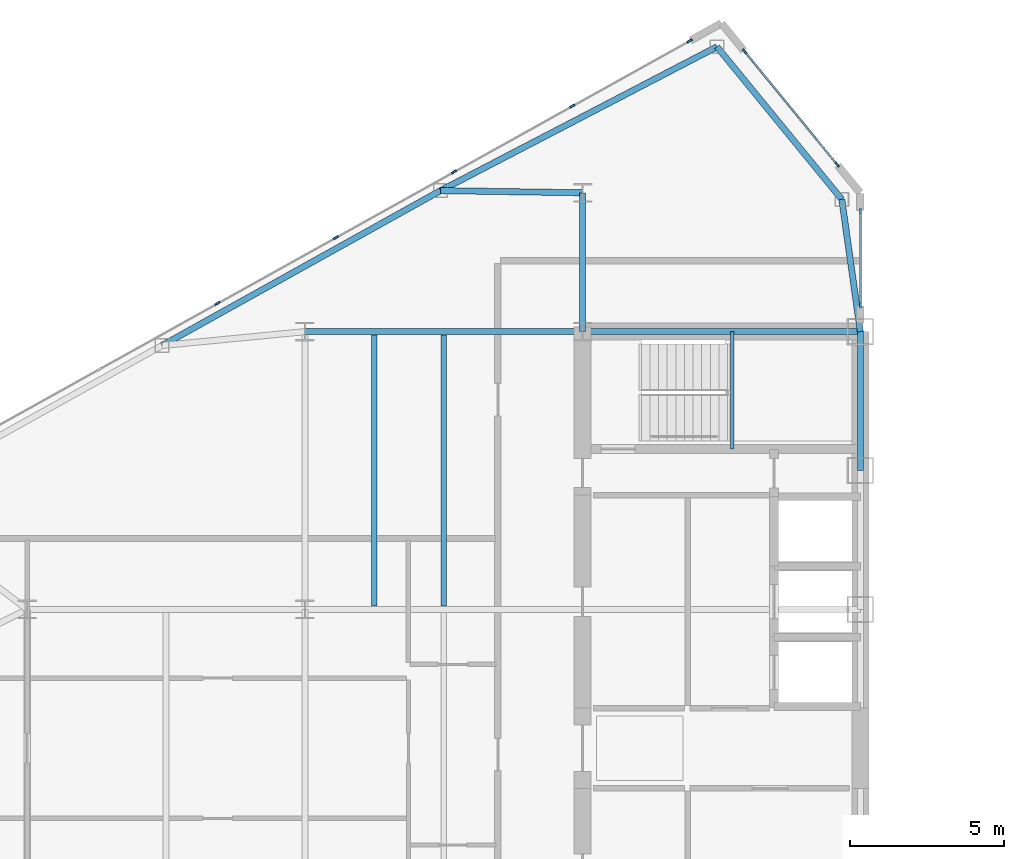
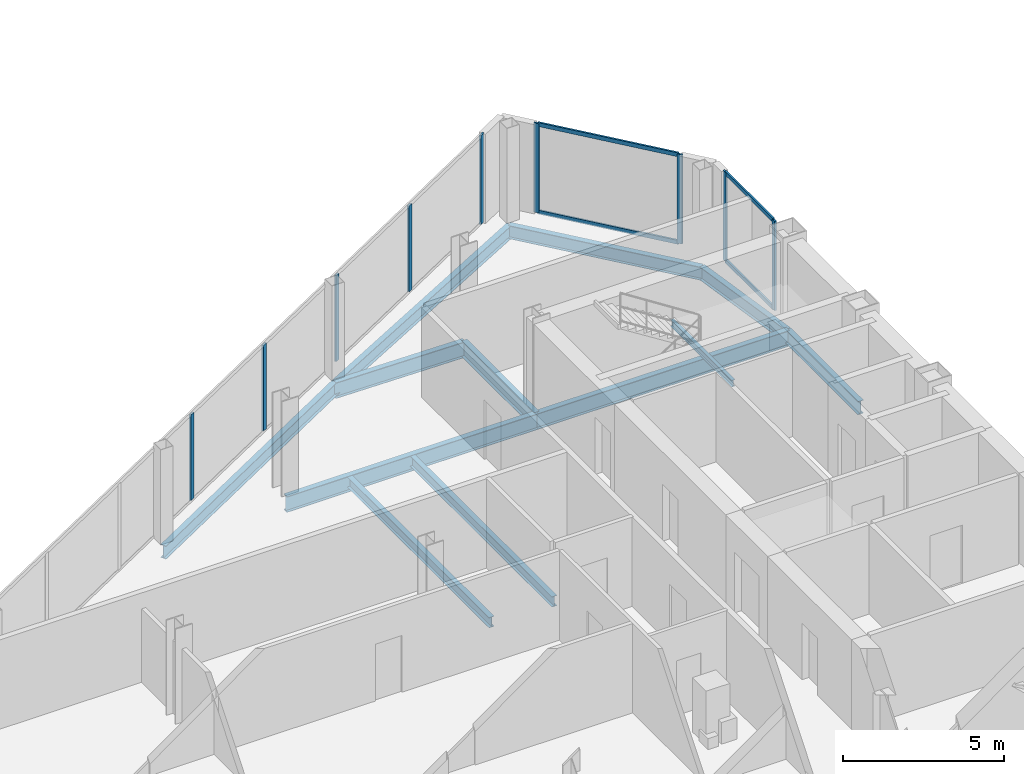
# One storey, part 10 of 25: 13 members, 12 beams, 3 elements without a shape of their own.
"""IFC4 building model written with IfcOpenShell, lengths in metres."""

from ifc_helpers import new_model, si_unit, direction, frame, origin, origin_2d, place, context, subcontext, project, spatial, rectangle, i_section, extrude, source, transform, mapped, material, layer, layer_set, material_profile, profile_set, type_object, type_shapes, element, aggregate, save


model = new_model("IFC4")

# Units and contexts
model_context = context("Model", 3, precision=1e-05, world=origin(), true_north=direction((0.0, 1.0)))
body_context = subcontext(model_context, "Body", "Model", "MODEL_VIEW")
ifc_project = project(units=[si_unit("LENGTHUNIT", "METRE"), si_unit("AREAUNIT", "SQUARE_METRE"), si_unit("VOLUMEUNIT", "CUBIC_METRE"), si_unit("PLANEANGLEUNIT", "RADIAN"), si_unit("MASSUNIT", "GRAM", prefix="KILO")], contexts=[model_context])

# Site, building, storey
site_placement = place(None, origin())
site = spatial("IfcSite", under=ifc_project, at=site_placement, CompositionType="ELEMENT")
building_placement = place(site_placement, origin())
building = spatial("IfcBuilding", under=site, at=building_placement, Name="Seokmaru Belvedere", CompositionType="ELEMENT")
storey_placement = place(building_placement, frame((0.0, 0.0, 185.10009765625)))
storey = spatial("IfcBuildingStorey", under=building, at=storey_placement, Name="L49", CompositionType="ELEMENT", Elevation=185.10009765625)

# Beams
ifc_material_1 = material(Name="Steel SM355 (355 MPa)", Category="steel")
ifc_material_profile_1 = material_profile(ifc_material_1, i_section(OverallWidth=0.199951171875, OverallDepth=0.5, WebThickness=0.010009765625, FlangeThickness=0.01611328125, at=origin_2d()), Name="H-500x200x10x16")
ifc_profile_set_1 = profile_set([ifc_material_profile_1], Name="Steel SM355 (355 MPa)")
beam_type_1 = type_object("IfcBeamType", Name="Perimeter Spandrel Beam H-500", PredefinedType="SPANDREL", material=ifc_profile_set_1)
shared_shape_1 = source(origin(), body_context, "Body", "SweptSolid", [
    extrude(i_section(OverallWidth=0.199951171875, OverallDepth=0.5, WebThickness=0.010009765625, FlangeThickness=0.01611328125, at=origin_2d()), origin(), (0.0, 0.0, 1.0), 4.5),
])
beam_1_placement = place(storey_placement, frame((-27.5, 9.0, -0.47021484375), z_axis=(0.0, 1.0, 0.0), x_axis=(-1.0, 0.0, 0.0)))
element("IfcBeam", 1, at=beam_1_placement, inside=storey, type_object=beam_type_1, Name="L49 W Portal Spine Spandrel 5", PredefinedType="SPANDREL", context=body_context, shape_type="MappedRepresentation", body=[
    mapped(shared_shape_1, transform((0.0, 0.0, 0.0), scale=1.0)),
])
ifc_material_profile_2 = material_profile(ifc_material_1, i_section(OverallWidth=0.199951171875, OverallDepth=0.60009765625, WebThickness=0.010986328125, FlangeThickness=0.01708984375, at=origin_2d()), Name="H-600x200x11x17")
ifc_profile_set_2 = profile_set([ifc_material_profile_2], Name="Steel SM355 (355 MPa)")
beam_type_2 = type_object("IfcBeamType", Name="Primary Floor Girder H-600", PredefinedType="BEAM", material=ifc_profile_set_2)
shared_shape_2 = source(origin(), body_context, "Body", "SweptSolid", [
    extrude(i_section(OverallWidth=0.199951171875, OverallDepth=0.60009765625, WebThickness=0.010986328125, FlangeThickness=0.01708984375, at=origin_2d()), origin(), (0.0, 0.0, 1.0), 9.0),
])
for number, where, z_axis, x_axis, name in (
    (2, (-36.5, 13.5, -0.52001953125), (1.0, 0.0, 0.0), (0.0, 1.0, 0.0), "L49 W Core Tie Girder 4"),
    (3, (-45.5, 13.5, -0.52001953125), (1.0, 0.0, 0.0), (0.0, 1.0, 0.0), "L49 W Wing Primary Girder 4"),
):
    element("IfcBeam", number, at=place(storey_placement, frame(where, z_axis=z_axis, x_axis=x_axis)), inside=storey, type_object=beam_type_2, Name=name, PredefinedType="BEAM", context=body_context, shape_type="MappedRepresentation", body=[
        mapped(shared_shape_2, transform((0.0, 0.0, 0.0), scale=1.0)),
    ])
ifc_material_profile_3 = material_profile(ifc_material_1, i_section(OverallWidth=0.18505859375, OverallDepth=0.389892578125, WebThickness=0.008056640625, FlangeThickness=0.011962890625, at=origin_2d()), Name="H-390x185x8x12")
ifc_profile_set_3 = profile_set([ifc_material_profile_3], Name="Steel SM355 (355 MPa)")
beam_type_3 = type_object("IfcBeamType", Name="Secondary Floor Joist H-350", PredefinedType="JOIST", material=ifc_profile_set_3)
shared_shape_3 = source(origin(), body_context, "Body", "SweptSolid", [
    extrude(i_section(OverallWidth=0.18505859375, OverallDepth=0.389892578125, WebThickness=0.008056640625, FlangeThickness=0.011962890625, at=origin_2d()), origin(), (0.0, 0.0, 1.0), 8.7900390625),
])
type_shapes(beam_type_3, [shared_shape_3])
for number, where, z_axis, x_axis, name in (
    (4, (-43.25, 4.60498046875, -0.4150390625), (0.0, 1.0, 0.0), (-1.0, 0.0, 0.0), "L49 W Wing Inner Secondary Joist 2"),
    (5, (-41.0, 4.60498046875, -0.4150390625), (0.0, 1.0, 0.0), (-1.0, 0.0, 0.0), "L49 W Secondary Floor Joist 3"),
):
    element("IfcBeam", number, at=place(storey_placement, frame(where, z_axis=z_axis, x_axis=x_axis)), inside=storey, type_object=beam_type_3, Name=name, PredefinedType="JOIST", context=body_context, shape_type="MappedRepresentation", body=[
        mapped(shared_shape_3, transform((0.0, 0.0, 0.0), scale=1.0)),
    ])
shared_shape_4 = source(origin(), body_context, "Body", "SweptSolid", [
    extrude(i_section(OverallWidth=0.199951171875, OverallDepth=0.60009765625, WebThickness=0.010986328125, FlangeThickness=0.01708984375, at=origin_2d()), origin(), (0.0, 0.0, 1.0), 4.5),
])
beam_2_placement = place(storey_placement, frame((-36.5, 13.5, -0.52001953125), z_axis=(0.0, 1.0, 0.0), x_axis=(-1.0, 0.0, 0.0)))
element("IfcBeam", 6, at=beam_2_placement, inside=storey, type_object=beam_type_2, Name="L49 W Core Shoulder Girder N", PredefinedType="BEAM", context=body_context, shape_type="MappedRepresentation", body=[
    mapped(shared_shape_4, transform((0.0, 0.0, 0.0), scale=1.0)),
])
shared_shape_5 = source(origin(), body_context, "Body", "SweptSolid", [
    extrude(i_section(OverallWidth=0.199951171875, OverallDepth=0.5, WebThickness=0.010009765625, FlangeThickness=0.01611328125, at=origin_2d()), origin(), (0.0, 0.0, 1.0), 10.09716796875),
])
beam_3_placement = place(storey_placement, frame((-32.146728515625, 22.731689453125, -0.47021484375), z_axis=(-0.887085728914, -0.461604711369, 0.0), x_axis=(0.461604711369, -0.887085728914, 0.0)))
element("IfcBeam", 7, at=beam_3_placement, inside=storey, type_object=beam_type_1, Name="L49 W Faceted Flank Spandrel N-1", PredefinedType="SPANDREL", context=body_context, shape_type="MappedRepresentation", body=[
    mapped(shared_shape_5, transform((0.0, 0.0, 0.0), scale=1.0)),
])
shared_shape_6 = source(origin(), body_context, "Body", "SweptSolid", [
    extrude(i_section(OverallWidth=0.199951171875, OverallDepth=0.5, WebThickness=0.010009765625, FlangeThickness=0.01611328125, at=origin_2d()), origin(), (0.0, 0.0, 1.0), 10.327392578125),
])
beam_4_placement = place(storey_placement, frame((-41.103759765625, 18.07080078125, -0.47021484375), z_axis=(-0.873924120588, -0.486062374037, 0.0), x_axis=(0.486062374037, -0.873924120588, 0.0)))
element("IfcBeam", 8, at=beam_4_placement, inside=storey, type_object=beam_type_1, Name="L49 W Faceted Flank Spandrel N-2", PredefinedType="SPANDREL", context=body_context, shape_type="MappedRepresentation", body=[
    mapped(shared_shape_6, transform((0.0, 0.0, 0.0), scale=1.0)),
])
shared_shape_7 = source(origin(), body_context, "Body", "SweptSolid", [
    extrude(i_section(OverallWidth=0.199951171875, OverallDepth=0.5, WebThickness=0.010009765625, FlangeThickness=0.01611328125, at=origin_2d()), origin(), (0.0, 0.0, 1.0), 6.390380859375),
])
beam_5_placement = place(storey_placement, frame((-32.146728515625, 22.731689453125, -0.47021484375), z_axis=(0.63324403161, -0.7739521926, 0.0), x_axis=(0.7739521926, 0.63324403161, 0.0)))
element("IfcBeam", 9, at=beam_5_placement, inside=storey, type_object=beam_type_1, Name="L49 W Shoulder Chamfer Spandrel N", PredefinedType="SPANDREL", context=body_context, shape_type="MappedRepresentation", body=[
    mapped(shared_shape_7, transform((0.0, 0.0, 0.0), scale=1.0)),
])
shared_shape_8 = source(origin(), body_context, "Body", "SweptSolid", [
    extrude(i_section(OverallWidth=0.199951171875, OverallDepth=0.5, WebThickness=0.010009765625, FlangeThickness=0.01611328125, at=origin_2d()), origin(), (0.0, 0.0, 1.0), 4.32763671875),
])
type_shapes(beam_type_1, [shared_shape_1, shared_shape_5, shared_shape_6, shared_shape_7, shared_shape_8])
beam_6_placement = place(storey_placement, frame((-28.10009765625, 17.785888671875, -0.47021484375), z_axis=(0.138664443237, -0.990339422714, 0.0), x_axis=(0.990339422714, 0.138664443237, 0.0)))
element("IfcBeam", 10, at=beam_6_placement, inside=storey, type_object=beam_type_1, Name="L49 W Shoulder Spine Spandrel N", PredefinedType="SPANDREL", context=body_context, shape_type="MappedRepresentation", body=[
    mapped(shared_shape_8, transform((0.0, 0.0, 0.0), scale=1.0)),
])
shared_shape_9 = source(origin(), body_context, "Body", "SweptSolid", [
    extrude(i_section(OverallWidth=0.199951171875, OverallDepth=0.60009765625, WebThickness=0.010986328125, FlangeThickness=0.01708984375, at=origin_2d()), origin(), (0.0, 0.0, 1.0), 4.604248046875),
])
type_shapes(beam_type_2, [shared_shape_2, shared_shape_4, shared_shape_9])
beam_7_placement = place(storey_placement, frame((-41.103759765625, 18.07080078125, -0.52001953125), z_axis=(0.999881765622, -0.01537708607, 0.0), x_axis=(0.01537708607, 0.999881765622, 0.0)))
element("IfcBeam", 11, at=beam_7_placement, inside=storey, type_object=beam_type_2, Name="L49 W Flank Radial Floor Girder N-1", PredefinedType="BEAM", context=body_context, shape_type="MappedRepresentation", body=[
    mapped(shared_shape_9, transform((0.0, 0.0, 0.0), scale=1.0)),
])

# Curtain wall, members
ifc_material_2 = material(Name="Bronze Triple Insulating Glass", Category="glass")
ifc_layer = layer(ifc_material_2, 0.179931640625)
ifc_layer_set = layer_set([ifc_layer], Name="Bronze Triple Insulating Glass")
curtain_wall_type = type_object("IfcCurtainWallType", Name="High-Rise Wind-Corner Curtain Wall System CW-5", PredefinedType="NOTDEFINED", material=ifc_layer_set)
curtain_wall_1_placement = place(storey_placement, origin())
curtain_wall_1 = element("IfcCurtainWall", 12, at=curtain_wall_1_placement, inside=storey, type_object=curtain_wall_type, Name="L49 Curtain Wall WSP_2", PredefinedType="NOTDEFINED")
ifc_material_3 = material(Name="Anodised Bronze Aluminium", Category="aluminium")
ifc_material_profile_4 = material_profile(ifc_material_3, rectangle(XDim=0.06494140625, YDim=0.14990234375, at=origin_2d()), Name="CW-T-65x150")
ifc_profile_set_4 = profile_set([ifc_material_profile_4], Name="Anodised Bronze Aluminium")
member_type_1 = type_object("IfcMemberType", Name="Bronze Unitised Transom 65x150", PredefinedType="USERDEFINED", material=ifc_profile_set_4)
shared_shape_10 = source(origin(), body_context, "Body", "SweptSolid", [
    extrude(rectangle(XDim=0.06494140625, YDim=0.14990234375, at=origin_2d()), origin(), (0.0, 0.0, 1.0), 2.969970703125),
])
member_1_placement = place(storey_placement, frame((-27.5, 14.39501953125, 0.032470703125), z_axis=(0.0, 1.0, 0.0), x_axis=(-1.0, 0.0, 0.0)))
member_1 = element("IfcMember", 13, at=member_1_placement, type_object=member_type_1, Name="CW:L49:WSP_2 Continuous Transom 1", ObjectType="TRANSOM", PredefinedType="USERDEFINED", context=body_context, shape_type="MappedRepresentation", body=[
    mapped(shared_shape_10, transform((0.0, 0.0, 0.0), scale=1.0)),
])
member_2_placement = place(storey_placement, frame((-27.5, 14.39501953125, 3.347412109375), z_axis=(0.0, 1.0, 0.0), x_axis=(-1.0, 0.0, 0.0)))
member_2 = element("IfcMember", 14, at=member_2_placement, type_object=member_type_1, Name="CW:L49:WSP_2 Continuous Transom 2", ObjectType="TRANSOM", PredefinedType="USERDEFINED", context=body_context, shape_type="MappedRepresentation", body=[
    mapped(shared_shape_10, transform((0.0, 0.0, 0.0), scale=1.0)),
])

curtain_wall_2_placement = place(storey_placement, origin())
curtain_wall_2 = element("IfcCurtainWall", 15, at=curtain_wall_2_placement, inside=storey, type_object=curtain_wall_type, Name="L49 Curtain Wall WF2", PredefinedType="NOTDEFINED")
shared_shape_11 = source(origin(), body_context, "Body", "SweptSolid", [
    extrude(rectangle(XDim=0.06494140625, YDim=0.14990234375, at=origin_2d()), origin(), (0.0, 0.0, 1.0), 4.67626953125),
])
type_shapes(member_type_1, [shared_shape_10, shared_shape_11])
member_3_placement = place(storey_placement, frame((-28.269287109375, 18.9404296875, 0.032470703125), z_axis=(-0.633277591216, 0.773924733074, 0.0), x_axis=(-0.773924733074, -0.633277591216, 0.0)))
member_3 = element("IfcMember", 16, at=member_3_placement, type_object=member_type_1, Name="CW:L49:WF2 Continuous Transom 1", ObjectType="TRANSOM", PredefinedType="USERDEFINED", context=body_context, shape_type="MappedRepresentation", body=[
    mapped(shared_shape_11, transform((0.0, 0.0, 0.0), scale=1.0)),
])
member_4_placement = place(storey_placement, frame((-28.269287109375, 18.9404296875, 3.347412109375), z_axis=(-0.633277591216, 0.773924733074, 0.0), x_axis=(-0.773924733074, -0.633277591216, 0.0)))
member_4 = element("IfcMember", 17, at=member_4_placement, type_object=member_type_1, Name="CW:L49:WF2 Continuous Transom 2", ObjectType="TRANSOM", PredefinedType="USERDEFINED", context=body_context, shape_type="MappedRepresentation", body=[
    mapped(shared_shape_11, transform((0.0, 0.0, 0.0), scale=1.0)),
])

# Member
ifc_material_profile_5 = material_profile(ifc_material_3, rectangle(XDim=0.06494140625, YDim=0.179931640625, at=origin_2d()), Name="CW-M-65x180")
ifc_profile_set_5 = profile_set([ifc_material_profile_5], Name="Anodised Bronze Aluminium")
member_type_2 = type_object("IfcMemberType", Name="Bronze Unitised Mullion 65x180", PredefinedType="MULLION", material=ifc_profile_set_5)
shared_shape_12 = source(origin(), body_context, "Body", "SweptSolid", [
    extrude(rectangle(XDim=0.06494140625, YDim=0.179931640625, at=origin_2d()), origin(), (0.0, 0.0, 1.0), 3.3798828125),
])
member_5_placement = place(storey_placement, frame((-27.5, 14.362548828125, 0.0), z_axis=(0.0, 0.0, 1.0), x_axis=(-1.0, 0.0, 0.0)))
member_5 = element("IfcMember", 18, at=member_5_placement, type_object=member_type_2, Name="CW:L49:WSP_2 Mullion 1", PredefinedType="MULLION", context=body_context, shape_type="MappedRepresentation", body=[
    mapped(shared_shape_12, transform((0.0, 0.0, 0.0), scale=1.0)),
])

member_6_placement = place(storey_placement, frame((-27.5, 17.3974609375, 0.0), z_axis=(0.0, 0.0, 1.0), x_axis=(-1.0, 0.0, 0.0)))
member_6 = element("IfcMember", 19, at=member_6_placement, type_object=member_type_2, Name="CW:L49:WSP_2 Mullion 2", PredefinedType="MULLION", context=body_context, shape_type="MappedRepresentation", body=[
    mapped(shared_shape_12, transform((0.0, 0.0, 0.0), scale=1.0)),
])

aggregate(curtain_wall_1, [member_5, member_6, member_1, member_2])

member_7_placement = place(storey_placement, frame((-28.248779296875, 18.915283203125, 0.0), z_axis=(0.0, 0.0, 1.0), x_axis=(-0.773944112379, -0.633253907144, 0.0)))
member_7 = element("IfcMember", 20, at=member_7_placement, type_object=member_type_2, Name="CW:L49:WF2 Mullion 1", PredefinedType="MULLION", context=body_context, shape_type="MappedRepresentation", body=[
    mapped(shared_shape_12, transform((0.0, 0.0, 0.0), scale=1.0)),
])

member_8_placement = place(storey_placement, frame((-31.251220703125, 22.584716796875, 0.0), z_axis=(0.0, 0.0, 1.0), x_axis=(-0.773944112379, -0.633253907144, 0.0)))
member_8 = element("IfcMember", 21, at=member_8_placement, type_object=member_type_2, Name="CW:L49:WF2 Mullion 2", PredefinedType="MULLION", context=body_context, shape_type="MappedRepresentation", body=[
    mapped(shared_shape_12, transform((0.0, 0.0, 0.0), scale=1.0)),
])

aggregate(curtain_wall_2, [member_7, member_8, member_3, member_4])

# Curtain wall, members
curtain_wall_3_placement = place(storey_placement, origin())
curtain_wall_3 = element("IfcCurtainWall", 22, at=curtain_wall_3_placement, inside=storey, type_object=curtain_wall_type, Name="L49 Curtain Wall WF3", PredefinedType="NOTDEFINED")
member_9_placement = place(storey_placement, frame((-33.033447265625, 22.92529296875, 0.0), z_axis=(0.0, 0.0, 1.0), x_axis=(0.486047125147, -0.873932601598, 0.0)))
member_9 = element("IfcMember", 23, at=member_9_placement, type_object=member_type_2, Name="CW:L49:WF3 Mullion 1", PredefinedType="MULLION", context=body_context, shape_type="MappedRepresentation", body=[
    mapped(shared_shape_12, transform((0.0, 0.0, 0.0), scale=1.0)),
])
shared_shape_13 = source(origin(), body_context, "Body", "SweptSolid", [
    extrude(rectangle(XDim=0.06494140625, YDim=0.179931640625, at=origin_2d()), origin(), (0.0, 0.0, 1.0), 3.25),
])
type_shapes(member_type_2, [shared_shape_12, shared_shape_13])
member_10_placement = place(storey_placement, frame((-36.837158203125, 20.809814453125, 0.06494140625), z_axis=(0.0, 0.0, 1.0), x_axis=(0.486047125147, -0.873932601598, 0.0)))
member_10 = element("IfcMember", 24, at=member_10_placement, type_object=member_type_2, Name="CW:L49:WF3 Mullion 2", PredefinedType="MULLION", context=body_context, shape_type="MappedRepresentation", body=[
    mapped(shared_shape_13, transform((0.0, 0.0, 0.0), scale=1.0)),
])
member_11_placement = place(storey_placement, frame((-40.66943359375, 18.67822265625, 0.06494140625), z_axis=(0.0, 0.0, 1.0), x_axis=(0.486047125147, -0.873932601598, 0.0)))
member_11 = element("IfcMember", 25, at=member_11_placement, type_object=member_type_2, Name="CW:L49:WF3 Mullion 3", PredefinedType="MULLION", context=body_context, shape_type="MappedRepresentation", body=[
    mapped(shared_shape_13, transform((0.0, 0.0, 0.0), scale=1.0)),
])
member_12_placement = place(storey_placement, frame((-44.501708984375, 16.547119140625, 0.06494140625), z_axis=(0.0, 0.0, 1.0), x_axis=(0.486047125147, -0.873932601598, 0.0)))
member_12 = element("IfcMember", 26, at=member_12_placement, type_object=member_type_2, Name="CW:L49:WF3 Mullion 4", PredefinedType="MULLION", context=body_context, shape_type="MappedRepresentation", body=[
    mapped(shared_shape_13, transform((0.0, 0.0, 0.0), scale=1.0)),
])
member_13_placement = place(storey_placement, frame((-48.333984375, 14.415771484375, 0.06494140625), z_axis=(0.0, 0.0, 1.0), x_axis=(0.486047125147, -0.873932601598, 0.0)))
member_13 = element("IfcMember", 27, at=member_13_placement, type_object=member_type_2, Name="CW:L49:WF3 Mullion 5", PredefinedType="MULLION", context=body_context, shape_type="MappedRepresentation", body=[
    mapped(shared_shape_13, transform((0.0, 0.0, 0.0), scale=1.0)),
])
aggregate(curtain_wall_3, [member_9, member_10, member_11, member_12, member_13])

# Beam
ifc_material_profile_6 = material_profile(ifc_material_1, i_section(OverallWidth=0.125, OverallDepth=0.25, WebThickness=0.006103515625, FlangeThickness=0.009033203125, at=origin_2d()), Name="H-250x125x6x9")
ifc_profile_set_6 = profile_set([ifc_material_profile_6], Name="Steel SM355 (355 MPa)")
beam_type_4 = type_object("IfcBeamType", Name="Stair Mid-Landing Support Beam H-250", PredefinedType="JOIST", material=ifc_profile_set_6)
shared_shape_14 = source(origin(), body_context, "Body", "SweptSolid", [
    extrude(i_section(OverallWidth=0.125, OverallDepth=0.25, WebThickness=0.006103515625, FlangeThickness=0.009033203125, at=origin_2d()), origin(), (0.0, 0.0, 1.0), 3.800048828125),
])
type_shapes(beam_type_4, [shared_shape_14])
beam_8_placement = place(storey_placement, frame((-31.64990234375, 9.699951171875, 1.474853515625), z_axis=(0.0, 1.0, 0.0), x_axis=(-1.0, 0.0, 0.0)))
element("IfcBeam", 28, at=beam_8_placement, inside=storey, type_object=beam_type_4, Name="L49 Stair ST-W2 Mid-Landing Support Beam 1", PredefinedType="JOIST", context=body_context, shape_type="MappedRepresentation", body=[
    mapped(shared_shape_14, transform((0.0, 0.0, 0.0), scale=1.0)),
])

save(model, "model.ifc")
